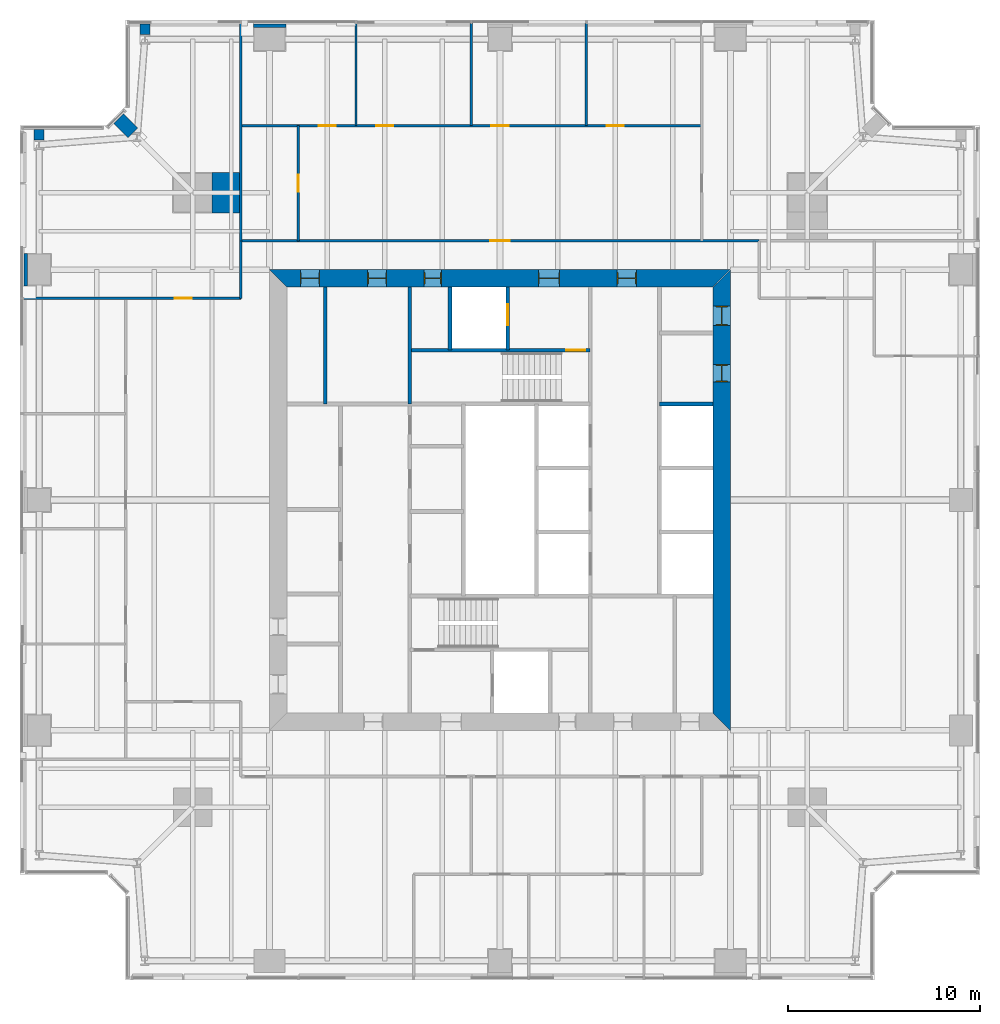
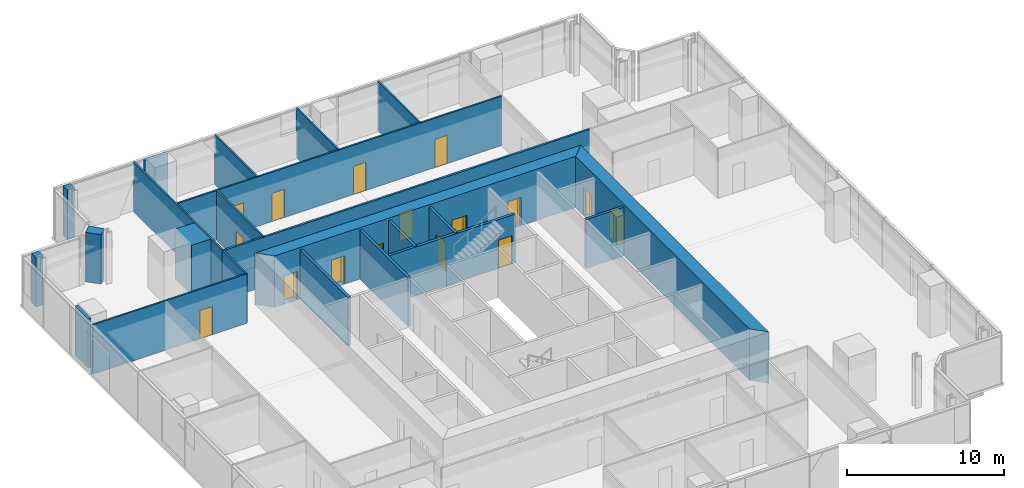
# One storey, part 11 of 14: 23 walls, 16 doors, 16 openings.
"""IFC4 building model written with IfcOpenShell, lengths in metres."""

from ifc_helpers import new_model, si_unit, direction, frame, frame_2d, origin, place, context, subcontext, project, spatial, polyline, rectangle, outline, extrude, material, layer, layer_set, type_object, element, fill, save


model = new_model("IFC4")

# Units and contexts
model_context = context("Model", 3, precision=1e-05, world=origin(), true_north=direction((0.0, 1.0)))
body_context = subcontext(model_context, "Body", "Model", "MODEL_VIEW")
ifc_project = project(units=[si_unit("LENGTHUNIT", "METRE"), si_unit("AREAUNIT", "SQUARE_METRE"), si_unit("VOLUMEUNIT", "CUBIC_METRE"), si_unit("PLANEANGLEUNIT", "RADIAN"), si_unit("MASSUNIT", "GRAM", prefix="KILO")], contexts=[model_context])

# Site, building, storey
site_placement = place(None, origin())
site = spatial("IfcSite", under=ifc_project, at=site_placement, CompositionType="ELEMENT")
building_placement = place(site_placement, origin())
building = spatial("IfcBuilding", under=site, at=building_placement, Name="Fenwick Lantern Interchange", CompositionType="ELEMENT")
storey_placement = place(building_placement, frame((0.0, 0.0, 189.800048828125)))
storey = spatial("IfcBuildingStorey", under=building, at=storey_placement, Name="L44", CompositionType="ELEMENT", Elevation=189.800048828125)

# Walls
ifc_material_1 = material(Name="Fire-rated gypsum board encasement on steel studs, 2 hour", Category="steel")
ifc_layer_1 = layer(ifc_material_1, 1.699951171875)
ifc_layer_set_1 = layer_set([ifc_layer_1], Name="COLUMN PIER 1700")
wall_type_1 = type_object("IfcWallType", Name="COLUMN PIER 1700", PredefinedType="PARTITIONING", material=ifc_layer_set_1)
for number, where, z_axis, x_axis, name in (
    (1, (13.0, 49.800048828125, 0.0), (0.0, 0.0, 1.0), (0.0, -1.0, 0.0), "L44/W/PIER/CN4"),
    (2, (0.199951171875, 37.0, 0.0), (0.0, 0.0, 1.0), (1.0, 0.0, 0.0), "L44/W/PIER/CW2"),
):
    element("IfcWall", number, at=place(storey_placement, frame(where, z_axis=z_axis, x_axis=x_axis)), inside=storey, type_object=wall_type_1, Name=name, PredefinedType="PARTITIONING", context=body_context, shape_type="SweptSolid", body=[
        extrude(rectangle(XDim=0.199951171875, YDim=1.699951171875, at=frame_2d((0.10009765625, 0.0))), origin(), (0.0, 0.0, 1.0), 3.849853515625),
    ])
ifc_layer_2 = layer(ifc_material_1, 2.10009765625)
ifc_layer_set_2 = layer_set([ifc_layer_2], Name="COLUMN PIER 2100")
wall_type_2 = type_object("IfcWallType", Name="COLUMN PIER 2100", PredefinedType="PARTITIONING", material=ifc_layer_set_2)
wall_1_placement = place(storey_placement, frame((11.4375, 41.0, 0.0), z_axis=(0.0, 0.0, 1.0), x_axis=(-1.0, 0.0, 0.0)))
element("IfcWall", 3, at=wall_1_placement, inside=storey, type_object=wall_type_2, Name="L44/W/PIER/M4", PredefinedType="PARTITIONING", context=body_context, shape_type="SweptSolid", body=[
    extrude(rectangle(XDim=1.4375, YDim=2.10009765625, at=frame_2d((0.71875, 0.0))), origin(), (0.0, 0.0, 1.0), 3.849853515625),
])
ifc_layer_3 = layer(ifc_material_1, 0.52392578125)
ifc_layer_set_3 = layer_set([ifc_layer_3], Name="COLUMN PIER 524")
wall_type_3 = type_object("IfcWallType", Name="COLUMN PIER 524", PredefinedType="PARTITIONING", material=ifc_layer_set_3)
for number, where, z_axis, x_axis, name in (
    (4, (6.5, 49.800048828125, 0.0), (0.0, 0.0, 1.0), (0.0, -1.0, 0.0), "L44/W/PIER/CN5"),
    (5, (1.0, 44.300048828125, 0.0), (0.0, 0.0, 1.0), (0.0, -1.0, 0.0), "L44/W/PIER/CW1"),
):
    element("IfcWall", number, at=place(storey_placement, frame(where, z_axis=z_axis, x_axis=x_axis)), inside=storey, type_object=wall_type_3, Name=name, PredefinedType="PARTITIONING", context=body_context, shape_type="SweptSolid", body=[
        extrude(rectangle(XDim=0.5625, YDim=0.52392578125, at=frame_2d((0.28125, 0.0))), origin(), (0.0, 0.0, 1.0), 3.849853515625),
    ])
ifc_layer_4 = layer(ifc_material_1, 0.736083984375)
ifc_layer_set_4 = layer_set([ifc_layer_4], Name="COLUMN PIER 736")
wall_type_4 = type_object("IfcWallType", Name="COLUMN PIER 736", PredefinedType="PARTITIONING", material=ifc_layer_set_4)
wall_2_placement = place(storey_placement, frame((5.141357421875, 44.858642578125, 0.0), z_axis=(0.0, 0.0, 1.0), x_axis=(0.707106781187, -0.707106781187, 0.0)))
element("IfcWall", 6, at=wall_2_placement, inside=storey, type_object=wall_type_4, Name="L44/W/PIER/CNR", PredefinedType="PARTITIONING", context=body_context, shape_type="SweptSolid", body=[
    extrude(rectangle(XDim=1.037841796875, YDim=0.736083984375, at=frame_2d((0.51904296875, 0.0))), origin(), (0.0, 0.0, 1.0), 3.849853515625),
])
ifc_material_2 = material(Name="Concrete masonry ASTM C90 Grade N", Category="masonry")
ifc_layer_5 = layer(ifc_material_2, 0.199951171875)
ifc_layer_set_5 = layer_set([ifc_layer_5], Name="Concrete masonry ASTM C90 Grade N")
wall_type_5 = type_object("IfcWallType", Name="CORE PARTITION 200", PredefinedType="PARTITIONING", material=ifc_layer_set_5)
wall_3_placement = place(storey_placement, frame((36.10009765625, 30.0, 0.0), z_axis=(0.0, 0.0, 1.0), x_axis=(-1.0, 0.0, 0.0)))
element("IfcWall", 7, at=wall_3_placement, inside=storey, type_object=wall_type_5, Name="L44/W/COREN/c2", PredefinedType="PARTITIONING", context=body_context, shape_type="SweptSolid", body=[
    extrude(rectangle(XDim=2.800048828125, YDim=0.199951171875, at=frame_2d((1.39990234375, 0.0))), origin(), (0.0, 0.0, 1.0), 3.800048828125),
])

# Wall, opening, door
wall_4_placement = place(storey_placement, frame((25.39990234375, 36.10009765625, 0.0), z_axis=(0.0, 0.0, 1.0), x_axis=(0.0, -1.0, 0.0)))
wall_4 = element("IfcWall", 8, at=wall_4_placement, inside=storey, type_object=wall_type_5, Name="L44/W/COREN/h1", PredefinedType="PARTITIONING", context=body_context, shape_type="SweptSolid", body=[
    extrude(rectangle(XDim=3.300048828125, YDim=0.199951171875, at=frame_2d((1.64990234375, 0.0))), origin(), (0.0, 0.0, 1.0), 3.800048828125),
])
opening_1_placement = place(wall_4_placement, frame((0.89990234375, 0.0, 0.0)))
opening_1 = element("IfcOpeningElement", 9, at=opening_1_placement, cuts=wall_4, Name="Opening LD-FL2", PredefinedType="OPENING", context=body_context, shape_type="SweptSolid", body=[
    extrude(rectangle(XDim=1.10009765625, YDim=2.199951171875, at=frame_2d((0.550048828125, 1.10009765625))), frame((0.0, 0.10986328125, 0.0), z_axis=(0.0, -1.0, 0.0), x_axis=(1.0, 0.0, 0.0)), (0.0, 0.0, 1.0), 0.219970703125),
])
ifc_material_3 = material(Name="Steel door and frame", Category="steel")
door_type_1 = type_object("IfcDoorType", Name="LIFT LANDING DOOR 1100 X 2200", OperationType="DOUBLE_DOOR_SLIDING", PredefinedType="DOOR", material=ifc_material_3)
door_1_placement = place(opening_1_placement, origin())
door_1 = element("IfcDoor", 10, at=door_1_placement, inside=storey, type_object=door_type_1, Name="Lift landing door FL2", OperationType="DOUBLE_DOOR_SLIDING", OverallHeight=2.199951171875, OverallWidth=1.10009765625, PredefinedType="DOOR", context=body_context, shape_type="SweptSolid", body=[
    extrude(rectangle(XDim=1.10009765625, YDim=2.199951171875, at=frame_2d((0.550048828125, 1.10009765625))), frame((0.0, 0.02490234375, 0.0), z_axis=(0.0, -1.0, 0.0), x_axis=(1.0, 0.0, 0.0)), (0.0, 0.0, 1.0), 0.050048828125),
])
fill(opening_1, door_1)

# Walls
wall_5_placement = place(storey_placement, frame((22.39990234375, 36.10009765625, 0.0), z_axis=(0.0, 0.0, 1.0), x_axis=(0.0, -1.0, 0.0)))
element("IfcWall", 11, at=wall_5_placement, inside=storey, type_object=wall_type_5, Name="L44/W/COREN/h2", PredefinedType="PARTITIONING", context=body_context, shape_type="SweptSolid", body=[
    extrude(rectangle(XDim=3.300048828125, YDim=0.199951171875, at=frame_2d((1.64990234375, 0.0))), origin(), (0.0, 0.0, 1.0), 3.800048828125),
])
wall_6_placement = place(storey_placement, frame((15.89990234375, 36.10009765625, 0.0), z_axis=(0.0, 0.0, 1.0), x_axis=(0.0, -1.0, 0.0)))
element("IfcWall", 12, at=wall_6_placement, inside=storey, type_object=wall_type_5, Name="L44/W/COREN/i2", PredefinedType="PARTITIONING", context=body_context, shape_type="SweptSolid", body=[
    extrude(rectangle(XDim=6.10009765625, YDim=0.199951171875, at=frame_2d((3.050048828125, 0.0))), origin(), (0.0, 0.0, 1.0), 3.800048828125),
])

# Wall, openings, doors
ifc_material_4 = material(Name="Concrete f'c 70 MPa", Category="concrete")
ifc_layer_6 = layer(ifc_material_4, 0.89990234375)
ifc_layer_set_6 = layer_set([ifc_layer_6], Name="CORE WALL 900")
wall_type_6 = type_object("IfcWallType", Name="CORE WALL 900", PredefinedType="SHEAR", material=ifc_layer_set_6)
wall_7_placement = place(storey_placement, frame((36.550048828125, 13.89990234375, 0.0), z_axis=(0.0, 0.0, 1.0), x_axis=(0.0, 1.0, 0.0)))
wall_7 = element("IfcWall", 13, at=wall_7_placement, inside=storey, type_object=wall_type_6, Name="L44/CORE/E", PredefinedType="SHEAR", context=body_context, shape_type="SweptSolid", body=[
    extrude(outline(polyline([(-0.89990234375, -0.449951171875), (23.10009765625, -0.449951171875), (22.199951171875, 0.449951171875), (0.0, 0.449951171875), (-0.89990234375, -0.449951171875)])), origin(), (0.0, 0.0, 1.0), 4.0),
])
opening_2_placement = place(wall_7_placement, frame((20.199951171875, 0.0, 0.0)))
opening_2 = element("IfcOpeningElement", 14, at=opening_2_placement, cuts=wall_7, Name="Opening L44-D020", PredefinedType="OPENING", context=body_context, shape_type="SweptSolid", body=[
    extrude(rectangle(XDim=1.0, YDim=2.199951171875, at=frame_2d((0.5, 1.10009765625))), frame((0.0, 0.4599609375, 0.0), z_axis=(0.0, -1.0, 0.0), x_axis=(1.0, 0.0, 0.0)), (0.0, 0.0, 1.0), 0.919921875),
])
opening_3_placement = place(wall_7_placement, frame((17.25, 0.0, 0.0)))
opening_3 = element("IfcOpeningElement", 15, at=opening_3_placement, cuts=wall_7, Name="Opening L44-D021", PredefinedType="OPENING", context=body_context, shape_type="SweptSolid", body=[
    extrude(rectangle(XDim=0.89990234375, YDim=2.199951171875, at=frame_2d((0.449951171875, 1.10009765625))), frame((0.0, 0.4599609375, 0.0), z_axis=(0.0, -1.0, 0.0), x_axis=(1.0, 0.0, 0.0)), (0.0, 0.0, 1.0), 0.919921875),
])
door_type_2 = type_object("IfcDoorType", Name="SERVICE DOOR 1000 X 2200", OperationType="SINGLE_SWING_LEFT", PredefinedType="DOOR", material=ifc_material_3)
door_2_placement = place(opening_2_placement, origin())
door_2 = element("IfcDoor", 16, at=door_2_placement, inside=storey, type_object=door_type_2, Name="Service door", OperationType="SINGLE_SWING_LEFT", OverallHeight=2.199951171875, OverallWidth=1.0, PredefinedType="DOOR", context=body_context, shape_type="SweptSolid", body=[
    extrude(rectangle(XDim=1.0, YDim=2.199951171875, at=frame_2d((0.5, 1.10009765625))), frame((0.0, 0.02490234375, 0.0), z_axis=(0.0, -1.0, 0.0), x_axis=(1.0, 0.0, 0.0)), (0.0, 0.0, 1.0), 0.050048828125),
    extrude(outline(polyline([(0.0, 0.0), (0.0400390625, 0.0), (0.0400390625, 2.159912109375), (0.9599609375, 2.159912109375), (0.9599609375, 0.0), (1.0, 0.0), (1.0, 2.199951171875), (0.0, 2.199951171875), (0.0, 0.0)])), frame((0.0, 0.300048828125, 0.0), z_axis=(0.0, -1.0, 0.0), x_axis=(1.0, 0.0, 0.0)), (0.0, 0.0, 1.0), 0.60009765625),
])
fill(opening_2, door_2)
door_type_3 = type_object("IfcDoorType", Name="SERVICE DOOR 900 X 2200", OperationType="SINGLE_SWING_LEFT", PredefinedType="DOOR", material=ifc_material_3)
door_3_placement = place(opening_3_placement, origin())
door_3 = element("IfcDoor", 17, at=door_3_placement, inside=storey, type_object=door_type_3, Name="Service door", OperationType="SINGLE_SWING_LEFT", OverallHeight=2.199951171875, OverallWidth=0.89990234375, PredefinedType="DOOR", context=body_context, shape_type="SweptSolid", body=[
    extrude(rectangle(XDim=0.89990234375, YDim=2.199951171875, at=frame_2d((0.449951171875, 1.10009765625))), frame((0.0, 0.02490234375, 0.0), z_axis=(0.0, -1.0, 0.0), x_axis=(1.0, 0.0, 0.0)), (0.0, 0.0, 1.0), 0.050048828125),
    extrude(outline(polyline([(0.0, 0.0), (0.0400390625, 0.0), (0.0400390625, 2.159912109375), (0.85986328125, 2.159912109375), (0.85986328125, 0.0), (0.89990234375, 0.0), (0.89990234375, 2.199951171875), (0.0, 2.199951171875), (0.0, 0.0)])), frame((0.0, 0.300048828125, 0.0), z_axis=(0.0, -1.0, 0.0), x_axis=(1.0, 0.0, 0.0)), (0.0, 0.0, 1.0), 0.60009765625),
])
fill(opening_3, door_3)

wall_8_placement = place(storey_placement, frame((37.0, 36.550048828125, 0.0), z_axis=(0.0, 0.0, 1.0), x_axis=(-1.0, 0.0, 0.0)))
wall_8 = element("IfcWall", 18, at=wall_8_placement, inside=storey, type_object=wall_type_6, Name="L44/CORE/N", PredefinedType="SHEAR", context=body_context, shape_type="SweptSolid", body=[
    extrude(outline(polyline([(0.0, -0.449951171875), (24.0, -0.449951171875), (23.10009765625, 0.449951171875), (0.89990234375, 0.449951171875), (0.0, -0.449951171875)])), origin(), (0.0, 0.0, 1.0), 4.0),
])
opening_4_placement = place(wall_8_placement, frame((4.89990234375, 0.0, 0.0)))
opening_4 = element("IfcOpeningElement", 19, at=opening_4_placement, cuts=wall_8, Name="Opening L44-D014", PredefinedType="OPENING", context=body_context, shape_type="SweptSolid", body=[
    extrude(rectangle(XDim=1.0, YDim=2.199951171875, at=frame_2d((0.5, 1.10009765625))), frame((0.0, 0.4599609375, 0.0), z_axis=(0.0, -1.0, 0.0), x_axis=(1.0, 0.0, 0.0)), (0.0, 0.0, 1.0), 0.919921875),
])
opening_5_placement = place(wall_8_placement, frame((8.89990234375, 0.0, 0.0)))
opening_5 = element("IfcOpeningElement", 20, at=opening_5_placement, cuts=wall_8, Name="Opening L44-D015", PredefinedType="OPENING", context=body_context, shape_type="SweptSolid", body=[
    extrude(rectangle(XDim=1.10009765625, YDim=2.199951171875, at=frame_2d((0.550048828125, 1.10009765625))), frame((0.0, 0.4599609375, 0.0), z_axis=(0.0, -1.0, 0.0), x_axis=(1.0, 0.0, 0.0)), (0.0, 0.0, 1.0), 0.919921875),
])
opening_6_placement = place(wall_8_placement, frame((15.050048828125, 0.0, 0.0)))
opening_6 = element("IfcOpeningElement", 21, at=opening_6_placement, cuts=wall_8, Name="Opening L44-D017", PredefinedType="OPENING", context=body_context, shape_type="SweptSolid", body=[
    extrude(rectangle(XDim=0.89990234375, YDim=2.199951171875, at=frame_2d((0.449951171875, 1.10009765625))), frame((0.0, 0.4599609375, 0.0), z_axis=(0.0, -1.0, 0.0), x_axis=(1.0, 0.0, 0.0)), (0.0, 0.0, 1.0), 0.919921875),
])
opening_7_placement = place(wall_8_placement, frame((17.89990234375, 0.0, 0.0)))
opening_7 = element("IfcOpeningElement", 22, at=opening_7_placement, cuts=wall_8, Name="Opening L44-D018", PredefinedType="OPENING", context=body_context, shape_type="SweptSolid", body=[
    extrude(rectangle(XDim=1.0, YDim=2.199951171875, at=frame_2d((0.5, 1.10009765625))), frame((0.0, 0.4599609375, 0.0), z_axis=(0.0, -1.0, 0.0), x_axis=(1.0, 0.0, 0.0)), (0.0, 0.0, 1.0), 0.919921875),
])
opening_8_placement = place(wall_8_placement, frame((21.39990234375, 0.0, 0.0)))
opening_8 = element("IfcOpeningElement", 23, at=opening_8_placement, cuts=wall_8, Name="Opening L44-D019", PredefinedType="OPENING", context=body_context, shape_type="SweptSolid", body=[
    extrude(rectangle(XDim=1.0, YDim=2.199951171875, at=frame_2d((0.5, 1.10009765625))), frame((0.0, 0.4599609375, 0.0), z_axis=(0.0, -1.0, 0.0), x_axis=(1.0, 0.0, 0.0)), (0.0, 0.0, 1.0), 0.919921875),
])
door_type_4 = type_object("IfcDoorType", Name="CORE LOBBY DOOR 1000 X 2200", OperationType="SINGLE_SWING_LEFT", PredefinedType="DOOR", material=ifc_material_3)
door_4_placement = place(opening_4_placement, origin())
door_4 = element("IfcDoor", 24, at=door_4_placement, inside=storey, type_object=door_type_4, Name="Core lobby door", OperationType="SINGLE_SWING_LEFT", OverallHeight=2.199951171875, OverallWidth=1.0, PredefinedType="DOOR", context=body_context, shape_type="SweptSolid", body=[
    extrude(rectangle(XDim=1.0, YDim=2.199951171875, at=frame_2d((0.5, 1.10009765625))), frame((0.0, 0.02490234375, 0.0), z_axis=(0.0, -1.0, 0.0), x_axis=(1.0, 0.0, 0.0)), (0.0, 0.0, 1.0), 0.050048828125),
    extrude(outline(polyline([(0.0, 0.0), (0.0400390625, 0.0), (0.0400390625, 2.159912109375), (0.9599609375, 2.159912109375), (0.9599609375, 0.0), (1.0, 0.0), (1.0, 2.199951171875), (0.0, 2.199951171875), (0.0, 0.0)])), frame((0.0, 0.300048828125, 0.0), z_axis=(0.0, -1.0, 0.0), x_axis=(1.0, 0.0, 0.0)), (0.0, 0.0, 1.0), 0.60009765625),
])
fill(opening_4, door_4)
door_type_5 = type_object("IfcDoorType", Name="FIRE LOBBY DOOR 1100 X 2200", OperationType="SINGLE_SWING_LEFT", PredefinedType="DOOR", material=ifc_material_3)
door_5_placement = place(opening_5_placement, origin())
door_5 = element("IfcDoor", 25, at=door_5_placement, inside=storey, type_object=door_type_5, Name="Fire lobby door", OperationType="SINGLE_SWING_LEFT", OverallHeight=2.199951171875, OverallWidth=1.10009765625, PredefinedType="DOOR", context=body_context, shape_type="SweptSolid", body=[
    extrude(rectangle(XDim=1.10009765625, YDim=2.199951171875, at=frame_2d((0.550048828125, 1.10009765625))), frame((0.0, 0.02490234375, 0.0), z_axis=(0.0, -1.0, 0.0), x_axis=(1.0, 0.0, 0.0)), (0.0, 0.0, 1.0), 0.050048828125),
    extrude(outline(polyline([(0.0, 0.0), (0.0400390625, 0.0), (0.0400390625, 2.159912109375), (1.06005859375, 2.159912109375), (1.06005859375, 0.0), (1.10009765625, 0.0), (1.10009765625, 2.199951171875), (0.0, 2.199951171875), (0.0, 0.0)])), frame((0.0, 0.300048828125, 0.0), z_axis=(0.0, -1.0, 0.0), x_axis=(1.0, 0.0, 0.0)), (0.0, 0.0, 1.0), 0.60009765625),
])
fill(opening_5, door_5)
door_6_placement = place(opening_6_placement, origin())
door_6 = element("IfcDoor", 26, at=door_6_placement, inside=storey, type_object=door_type_3, Name="Service door", OperationType="SINGLE_SWING_LEFT", OverallHeight=2.199951171875, OverallWidth=0.89990234375, PredefinedType="DOOR", context=body_context, shape_type="SweptSolid", body=[
    extrude(rectangle(XDim=0.89990234375, YDim=2.199951171875, at=frame_2d((0.449951171875, 1.10009765625))), frame((0.0, 0.02490234375, 0.0), z_axis=(0.0, -1.0, 0.0), x_axis=(1.0, 0.0, 0.0)), (0.0, 0.0, 1.0), 0.050048828125),
    extrude(outline(polyline([(0.0, 0.0), (0.0400390625, 0.0), (0.0400390625, 2.159912109375), (0.85986328125, 2.159912109375), (0.85986328125, 0.0), (0.89990234375, 0.0), (0.89990234375, 2.199951171875), (0.0, 2.199951171875), (0.0, 0.0)])), frame((0.0, 0.300048828125, 0.0), z_axis=(0.0, -1.0, 0.0), x_axis=(1.0, 0.0, 0.0)), (0.0, 0.0, 1.0), 0.60009765625),
])
fill(opening_6, door_6)
ifc_material_5 = material(Name="Hardwood door and steel frame", Category="steel")
door_type_6 = type_object("IfcDoorType", Name="WC DOOR 1000 X 2200", OperationType="SINGLE_SWING_LEFT", PredefinedType="DOOR", material=ifc_material_5)
door_7_placement = place(opening_7_placement, origin())
door_7 = element("IfcDoor", 27, at=door_7_placement, inside=storey, type_object=door_type_6, Name="Wc door", OperationType="SINGLE_SWING_LEFT", OverallHeight=2.199951171875, OverallWidth=1.0, PredefinedType="DOOR", context=body_context, shape_type="SweptSolid", body=[
    extrude(rectangle(XDim=1.0, YDim=2.199951171875, at=frame_2d((0.5, 1.10009765625))), frame((0.0, 0.02490234375, 0.0), z_axis=(0.0, -1.0, 0.0), x_axis=(1.0, 0.0, 0.0)), (0.0, 0.0, 1.0), 0.050048828125),
    extrude(outline(polyline([(0.0, 0.0), (0.0400390625, 0.0), (0.0400390625, 2.159912109375), (0.9599609375, 2.159912109375), (0.9599609375, 0.0), (1.0, 0.0), (1.0, 2.199951171875), (0.0, 2.199951171875), (0.0, 0.0)])), frame((0.0, 0.300048828125, 0.0), z_axis=(0.0, -1.0, 0.0), x_axis=(1.0, 0.0, 0.0)), (0.0, 0.0, 1.0), 0.60009765625),
])
fill(opening_7, door_7)
door_8_placement = place(opening_8_placement, origin())
door_8 = element("IfcDoor", 28, at=door_8_placement, inside=storey, type_object=door_type_6, Name="Wc door", OperationType="SINGLE_SWING_LEFT", OverallHeight=2.199951171875, OverallWidth=1.0, PredefinedType="DOOR", context=body_context, shape_type="SweptSolid", body=[
    extrude(rectangle(XDim=1.0, YDim=2.199951171875, at=frame_2d((0.5, 1.10009765625))), frame((0.0, 0.02490234375, 0.0), z_axis=(0.0, -1.0, 0.0), x_axis=(1.0, 0.0, 0.0)), (0.0, 0.0, 1.0), 0.050048828125),
    extrude(outline(polyline([(0.0, 0.0), (0.0400390625, 0.0), (0.0400390625, 2.159912109375), (0.9599609375, 2.159912109375), (0.9599609375, 0.0), (1.0, 0.0), (1.0, 2.199951171875), (0.0, 2.199951171875), (0.0, 0.0)])), frame((0.0, 0.300048828125, 0.0), z_axis=(0.0, -1.0, 0.0), x_axis=(1.0, 0.0, 0.0)), (0.0, 0.0, 1.0), 0.60009765625),
])
fill(opening_8, door_8)

# Wall, opening, door
ifc_material_6 = material(Name="Gypsum board on steel studs, 1 hour", Category="steel")
ifc_layer_7 = layer(ifc_material_6, 0.14990234375)
ifc_layer_set_7 = layer_set([ifc_layer_7], Name="CORRIDOR WALL 150")
wall_type_7 = type_object("IfcWallType", Name="CORRIDOR WALL 150", PredefinedType="PARTITIONING", material=ifc_layer_set_7)
wall_9_placement = place(storey_placement, frame((38.5, 38.5, 0.0), z_axis=(0.0, 0.0, 1.0), x_axis=(-1.0, 0.0, 0.0)))
wall_9 = element("IfcWall", 29, at=wall_9_placement, inside=storey, type_object=wall_type_7, Name="L44/W/OFF/N/CW", PredefinedType="PARTITIONING", context=body_context, shape_type="SweptSolid", body=[
    extrude(rectangle(XDim=27.0, YDim=0.14990234375, at=frame_2d((13.5, 0.0))), origin(), (0.0, 0.0, 1.0), 3.849853515625),
])
opening_9_placement = place(wall_9_placement, frame((13.0, 0.0, 0.0)))
opening_9 = element("IfcOpeningElement", 30, at=opening_9_placement, cuts=wall_9, Name="Opening L44-D032", PredefinedType="OPENING", context=body_context, shape_type="SweptSolid", body=[
    extrude(rectangle(XDim=1.0, YDim=2.199951171875, at=frame_2d((0.5, 1.10009765625))), frame((0.0, 0.0849609375, 0.0), z_axis=(0.0, -1.0, 0.0), x_axis=(1.0, 0.0, 0.0)), (0.0, 0.0, 1.0), 0.169921875),
])
door_type_7 = type_object("IfcDoorType", Name="SUITE ENTRANCE DOOR 1000 X 2200", OperationType="SINGLE_SWING_LEFT", PredefinedType="DOOR", material=ifc_material_3)
door_9_placement = place(opening_9_placement, frame((1.0, 0.0, 0.0), z_axis=(0.0, 0.0, 1.0), x_axis=(-1.0, 0.0, 0.0)))
door_9 = element("IfcDoor", 31, at=door_9_placement, inside=storey, type_object=door_type_7, Name="Suite entrance door", OperationType="SINGLE_SWING_RIGHT", OverallHeight=2.199951171875, OverallWidth=1.0, PredefinedType="DOOR", context=body_context, shape_type="SweptSolid", body=[
    extrude(rectangle(XDim=1.0, YDim=2.199951171875, at=frame_2d((0.5, 1.10009765625))), frame((0.0, 0.02490234375, 0.0), z_axis=(0.0, -1.0, 0.0), x_axis=(1.0, 0.0, 0.0)), (0.0, 0.0, 1.0), 0.050048828125),
])
fill(opening_9, door_9)

# Walls
ifc_material_7 = material(Name="Gypsum board on steel studs, acoustic", Category="steel")
ifc_layer_8 = layer(ifc_material_7, 0.125)
ifc_layer_set_8 = layer_set([ifc_layer_8], Name="OFFICE PARTITION 125")
wall_type_8 = type_object("IfcWallType", Name="OFFICE PARTITION 125", PredefinedType="PARTITIONING", material=ifc_layer_set_8)
for number, where, z_axis, x_axis, name in (
    (32, (29.5, 49.85009765625, 0.0), (0.0, 0.0, 1.0), (0.0, -1.0, 0.0), "L44/W/OFF/N/X205-1"),
    (33, (23.5, 49.85009765625, 0.0), (0.0, 0.0, 1.0), (0.0, -1.0, 0.0), "L44/W/OFF/N/X265-1"),
    (34, (17.5, 49.85009765625, 0.0), (0.0, 0.0, 1.0), (0.0, -1.0, 0.0), "L44/W/OFF/N/X325-1"),
):
    element("IfcWall", number, at=place(storey_placement, frame(where, z_axis=z_axis, x_axis=x_axis)), inside=storey, type_object=wall_type_8, Name=name, PredefinedType="PARTITIONING", context=body_context, shape_type="SweptSolid", body=[
        extrude(rectangle(XDim=5.35009765625, YDim=0.125, at=frame_2d((2.675048828125, 0.0))), origin(), (0.0, 0.0, 1.0), 3.849853515625),
    ])

# Wall, opening, door
wall_10_placement = place(storey_placement, frame((14.5, 44.5, 0.0), z_axis=(0.0, 0.0, 1.0), x_axis=(0.0, -1.0, 0.0)))
wall_10 = element("IfcWall", 35, at=wall_10_placement, inside=storey, type_object=wall_type_8, Name="L44/W/OFF/N/X355-1", PredefinedType="PARTITIONING", context=body_context, shape_type="SweptSolid", body=[
    extrude(rectangle(XDim=6.0, YDim=0.125, at=frame_2d((3.0, 0.0))), origin(), (0.0, 0.0, 1.0), 3.849853515625),
])
opening_10_placement = place(wall_10_placement, frame((2.550048828125, 0.0, 0.0)))
opening_10 = element("IfcOpeningElement", 36, at=opening_10_placement, cuts=wall_10, Name="Opening L44-D038", PredefinedType="OPENING", context=body_context, shape_type="SweptSolid", body=[
    extrude(rectangle(XDim=0.89990234375, YDim=2.199951171875, at=frame_2d((0.449951171875, 1.10009765625))), frame((0.0, 0.072509765625, 0.0), z_axis=(0.0, -1.0, 0.0), x_axis=(1.0, 0.0, 0.0)), (0.0, 0.0, 1.0), 0.14501953125),
])
door_type_8 = type_object("IfcDoorType", Name="OFFICE DOOR 900 X 2200", OperationType="SINGLE_SWING_LEFT", PredefinedType="DOOR", material=ifc_material_5)
door_10_placement = place(opening_10_placement, frame((0.89990234375, 0.0, 0.0), z_axis=(0.0, 0.0, 1.0), x_axis=(-1.0, 0.0, 0.0)))
door_10 = element("IfcDoor", 37, at=door_10_placement, inside=storey, type_object=door_type_8, Name="Office door", OperationType="SINGLE_SWING_RIGHT", OverallHeight=2.199951171875, OverallWidth=0.89990234375, PredefinedType="DOOR", context=body_context, shape_type="SweptSolid", body=[
    extrude(rectangle(XDim=0.89990234375, YDim=2.199951171875, at=frame_2d((0.449951171875, 1.10009765625))), frame((0.0, 0.02490234375, 0.0), z_axis=(0.0, -1.0, 0.0), x_axis=(1.0, 0.0, 0.0)), (0.0, 0.0, 1.0), 0.050048828125),
])
fill(opening_10, door_10)

# Wall, openings, doors
wall_11_placement = place(storey_placement, frame((35.5, 44.5, 0.0), z_axis=(0.0, 0.0, 1.0), x_axis=(-1.0, 0.0, 0.0)))
wall_11 = element("IfcWall", 38, at=wall_11_placement, inside=storey, type_object=wall_type_8, Name="L44/W/OFF/N/Y55-1", PredefinedType="PARTITIONING", context=body_context, shape_type="SweptSolid", body=[
    extrude(rectangle(XDim=24.0, YDim=0.125, at=frame_2d((12.0, 0.0))), origin(), (0.0, 0.0, 1.0), 3.849853515625),
])
opening_11_placement = place(wall_11_placement, frame((4.050048828125, 0.0, 0.0)))
opening_11 = element("IfcOpeningElement", 39, at=opening_11_placement, cuts=wall_11, Name="Opening L44-D034", PredefinedType="OPENING", context=body_context, shape_type="SweptSolid", body=[
    extrude(rectangle(XDim=0.89990234375, YDim=2.199951171875, at=frame_2d((0.449951171875, 1.10009765625))), frame((0.0, 0.072509765625, 0.0), z_axis=(0.0, -1.0, 0.0), x_axis=(1.0, 0.0, 0.0)), (0.0, 0.0, 1.0), 0.14501953125),
])
opening_12_placement = place(wall_11_placement, frame((10.050048828125, 0.0, 0.0)))
opening_12 = element("IfcOpeningElement", 40, at=opening_12_placement, cuts=wall_11, Name="Opening L44-D035", PredefinedType="OPENING", context=body_context, shape_type="SweptSolid", body=[
    extrude(rectangle(XDim=0.89990234375, YDim=2.199951171875, at=frame_2d((0.449951171875, 1.10009765625))), frame((0.0, 0.072509765625, 0.0), z_axis=(0.0, -1.0, 0.0), x_axis=(1.0, 0.0, 0.0)), (0.0, 0.0, 1.0), 0.14501953125),
])
opening_13_placement = place(wall_11_placement, frame((16.050048828125, 0.0, 0.0)))
opening_13 = element("IfcOpeningElement", 41, at=opening_13_placement, cuts=wall_11, Name="Opening L44-D036", PredefinedType="OPENING", context=body_context, shape_type="SweptSolid", body=[
    extrude(rectangle(XDim=0.89990234375, YDim=2.199951171875, at=frame_2d((0.449951171875, 1.10009765625))), frame((0.0, 0.072509765625, 0.0), z_axis=(0.0, -1.0, 0.0), x_axis=(1.0, 0.0, 0.0)), (0.0, 0.0, 1.0), 0.14501953125),
])
opening_14_placement = place(wall_11_placement, frame((19.050048828125, 0.0, 0.0)))
opening_14 = element("IfcOpeningElement", 42, at=opening_14_placement, cuts=wall_11, Name="Opening L44-D037", PredefinedType="OPENING", context=body_context, shape_type="SweptSolid", body=[
    extrude(rectangle(XDim=0.89990234375, YDim=2.199951171875, at=frame_2d((0.449951171875, 1.10009765625))), frame((0.0, 0.072509765625, 0.0), z_axis=(0.0, -1.0, 0.0), x_axis=(1.0, 0.0, 0.0)), (0.0, 0.0, 1.0), 0.14501953125),
])
door_11_placement = place(opening_11_placement, frame((0.89990234375, 0.0, 0.0), z_axis=(0.0, 0.0, 1.0), x_axis=(-1.0, 0.0, 0.0)))
door_11 = element("IfcDoor", 43, at=door_11_placement, inside=storey, type_object=door_type_8, Name="Office door", OperationType="SINGLE_SWING_LEFT", OverallHeight=2.199951171875, OverallWidth=0.89990234375, PredefinedType="DOOR", context=body_context, shape_type="SweptSolid", body=[
    extrude(rectangle(XDim=0.89990234375, YDim=2.199951171875, at=frame_2d((0.449951171875, 1.10009765625))), frame((0.0, 0.02490234375, 0.0), z_axis=(0.0, -1.0, 0.0), x_axis=(1.0, 0.0, 0.0)), (0.0, 0.0, 1.0), 0.050048828125),
])
fill(opening_11, door_11)
door_12_placement = place(opening_12_placement, frame((0.89990234375, 0.0, 0.0), z_axis=(0.0, 0.0, 1.0), x_axis=(-1.0, 0.0, 0.0)))
door_12 = element("IfcDoor", 44, at=door_12_placement, inside=storey, type_object=door_type_8, Name="Office door", OperationType="SINGLE_SWING_LEFT", OverallHeight=2.199951171875, OverallWidth=0.89990234375, PredefinedType="DOOR", context=body_context, shape_type="SweptSolid", body=[
    extrude(rectangle(XDim=0.89990234375, YDim=2.199951171875, at=frame_2d((0.449951171875, 1.10009765625))), frame((0.0, 0.02490234375, 0.0), z_axis=(0.0, -1.0, 0.0), x_axis=(1.0, 0.0, 0.0)), (0.0, 0.0, 1.0), 0.050048828125),
])
fill(opening_12, door_12)
door_13_placement = place(opening_13_placement, frame((0.89990234375, 0.0, 0.0), z_axis=(0.0, 0.0, 1.0), x_axis=(-1.0, 0.0, 0.0)))
door_13 = element("IfcDoor", 45, at=door_13_placement, inside=storey, type_object=door_type_8, Name="Office door", OperationType="SINGLE_SWING_LEFT", OverallHeight=2.199951171875, OverallWidth=0.89990234375, PredefinedType="DOOR", context=body_context, shape_type="SweptSolid", body=[
    extrude(rectangle(XDim=0.89990234375, YDim=2.199951171875, at=frame_2d((0.449951171875, 1.10009765625))), frame((0.0, 0.02490234375, 0.0), z_axis=(0.0, -1.0, 0.0), x_axis=(1.0, 0.0, 0.0)), (0.0, 0.0, 1.0), 0.050048828125),
])
fill(opening_13, door_13)
door_14_placement = place(opening_14_placement, frame((0.89990234375, 0.0, 0.0), z_axis=(0.0, 0.0, 1.0), x_axis=(-1.0, 0.0, 0.0)))
door_14 = element("IfcDoor", 46, at=door_14_placement, inside=storey, type_object=door_type_8, Name="Office door", OperationType="SINGLE_SWING_RIGHT", OverallHeight=2.199951171875, OverallWidth=0.89990234375, PredefinedType="DOOR", context=body_context, shape_type="SweptSolid", body=[
    extrude(rectangle(XDim=0.89990234375, YDim=2.199951171875, at=frame_2d((0.449951171875, 1.10009765625))), frame((0.0, 0.02490234375, 0.0), z_axis=(0.0, -1.0, 0.0), x_axis=(1.0, 0.0, 0.0)), (0.0, 0.0, 1.0), 0.050048828125),
])
fill(opening_14, door_14)

# Wall
wall_12_placement = place(storey_placement, frame((11.5, 49.85009765625, 0.0), z_axis=(0.0, 0.0, 1.0), x_axis=(0.0, -1.0, 0.0)))
element("IfcWall", 47, at=wall_12_placement, inside=storey, type_object=wall_type_8, Name="L44/W/OFF/W/BACK", PredefinedType="PARTITIONING", context=body_context, shape_type="SweptSolid", body=[
    extrude(rectangle(XDim=11.35009765625, YDim=0.125, at=frame_2d((5.675048828125, 0.0))), origin(), (0.0, 0.0, 1.0), 3.849853515625),
])

# Wall, opening, door
wall_13_placement = place(storey_placement, frame((0.14990234375, 35.5, 0.0), z_axis=(0.0, 0.0, 1.0), x_axis=(1.0, 0.0, 0.0)))
wall_13 = element("IfcWall", 48, at=wall_13_placement, inside=storey, type_object=wall_type_8, Name="L44/W/OFF/W/X145-1", PredefinedType="PARTITIONING", context=body_context, shape_type="SweptSolid", body=[
    extrude(rectangle(XDim=11.35009765625, YDim=0.125, at=frame_2d((5.675048828125, 0.0))), origin(), (0.0, 0.0, 1.0), 3.849853515625),
])
opening_15_placement = place(wall_13_placement, frame((7.89990234375, 0.0, 0.0)))
opening_15 = element("IfcOpeningElement", 49, at=opening_15_placement, cuts=wall_13, Name="Opening L44-D039", PredefinedType="OPENING", context=body_context, shape_type="SweptSolid", body=[
    extrude(rectangle(XDim=0.89990234375, YDim=2.199951171875, at=frame_2d((0.449951171875, 1.10009765625))), frame((0.0, 0.072509765625, 0.0), z_axis=(0.0, -1.0, 0.0), x_axis=(1.0, 0.0, 0.0)), (0.0, 0.0, 1.0), 0.14501953125),
])
door_15_placement = place(opening_15_placement, origin())
door_15 = element("IfcDoor", 50, at=door_15_placement, inside=storey, type_object=door_type_8, Name="Office door", OperationType="SINGLE_SWING_RIGHT", OverallHeight=2.199951171875, OverallWidth=0.89990234375, PredefinedType="DOOR", context=body_context, shape_type="SweptSolid", body=[
    extrude(rectangle(XDim=0.89990234375, YDim=2.199951171875, at=frame_2d((0.449951171875, 1.10009765625))), frame((0.0, 0.02490234375, 0.0), z_axis=(0.0, -1.0, 0.0), x_axis=(1.0, 0.0, 0.0)), (0.0, 0.0, 1.0), 0.050048828125),
])
fill(opening_15, door_15)

# Wall
wall_14_placement = place(storey_placement, frame((11.5, 38.5, 0.0), z_axis=(0.0, 0.0, 1.0), x_axis=(0.0, -1.0, 0.0)))
element("IfcWall", 51, at=wall_14_placement, inside=storey, type_object=wall_type_8, Name="L44/W/OFF/W/CWS1", PredefinedType="PARTITIONING", context=body_context, shape_type="SweptSolid", body=[
    extrude(rectangle(XDim=3.0, YDim=0.125, at=frame_2d((1.5, 0.0))), origin(), (0.0, 0.0, 1.0), 3.849853515625),
])

# Wall, opening, door
ifc_material_8 = material(Name="Concrete f'c 45 MPa", Category="concrete")
ifc_layer_9 = layer(ifc_material_8, 0.199951171875)
ifc_layer_set_9 = layer_set([ifc_layer_9], Name="STAIR CORE WALL 200")
wall_type_9 = type_object("IfcWallType", Name="STAIR CORE WALL 200", PredefinedType="SOLIDWALL", material=ifc_layer_set_9)
wall_15_placement = place(storey_placement, frame((29.699951171875, 32.800048828125, 0.0), z_axis=(0.0, 0.0, 1.0), x_axis=(-1.0, 0.0, 0.0)))
wall_15 = element("IfcWall", 52, at=wall_15_placement, inside=storey, type_object=wall_type_9, Name="L44/W/COREN/g1", PredefinedType="SOLIDWALL", context=body_context, shape_type="SweptSolid", body=[
    extrude(rectangle(XDim=9.39990234375, YDim=0.199951171875, at=frame_2d((4.699951171875, 0.0))), origin(), (0.0, 0.0, 1.0), 3.800048828125),
])
opening_16_placement = place(wall_15_placement, frame((0.25, 0.0, 0.0)))
opening_16 = element("IfcOpeningElement", 53, at=opening_16_placement, cuts=wall_15, Name="Opening L44-D016", PredefinedType="OPENING", context=body_context, shape_type="SweptSolid", body=[
    extrude(rectangle(XDim=1.0, YDim=2.199951171875, at=frame_2d((0.5, 1.10009765625))), frame((0.0, 0.10986328125, 0.0), z_axis=(0.0, -1.0, 0.0), x_axis=(1.0, 0.0, 0.0)), (0.0, 0.0, 1.0), 0.219970703125),
])
door_type_9 = type_object("IfcDoorType", Name="STAIR DOOR 1000 X 2200", OperationType="SINGLE_SWING_LEFT", PredefinedType="DOOR", material=ifc_material_3)
door_16_placement = place(opening_16_placement, origin())
door_16 = element("IfcDoor", 54, at=door_16_placement, inside=storey, type_object=door_type_9, Name="Stair door", OperationType="SINGLE_SWING_LEFT", OverallHeight=2.199951171875, OverallWidth=1.0, PredefinedType="DOOR", context=body_context, shape_type="SweptSolid", body=[
    extrude(rectangle(XDim=1.0, YDim=2.199951171875, at=frame_2d((0.5, 1.10009765625))), frame((0.0, 0.02490234375, 0.0), z_axis=(0.0, -1.0, 0.0), x_axis=(1.0, 0.0, 0.0)), (0.0, 0.0, 1.0), 0.050048828125),
])
fill(opening_16, door_16)

# Wall
wall_16_placement = place(storey_placement, frame((20.300048828125, 36.10009765625, 0.0), z_axis=(0.0, 0.0, 1.0), x_axis=(0.0, -1.0, 0.0)))
element("IfcWall", 55, at=wall_16_placement, inside=storey, type_object=wall_type_9, Name="L44/W/COREN/i1", PredefinedType="SOLIDWALL", context=body_context, shape_type="SweptSolid", body=[
    extrude(rectangle(XDim=6.10009765625, YDim=0.199951171875, at=frame_2d((3.050048828125, 0.0))), origin(), (0.0, 0.0, 1.0), 3.800048828125),
])

save(model, "model.ifc")
